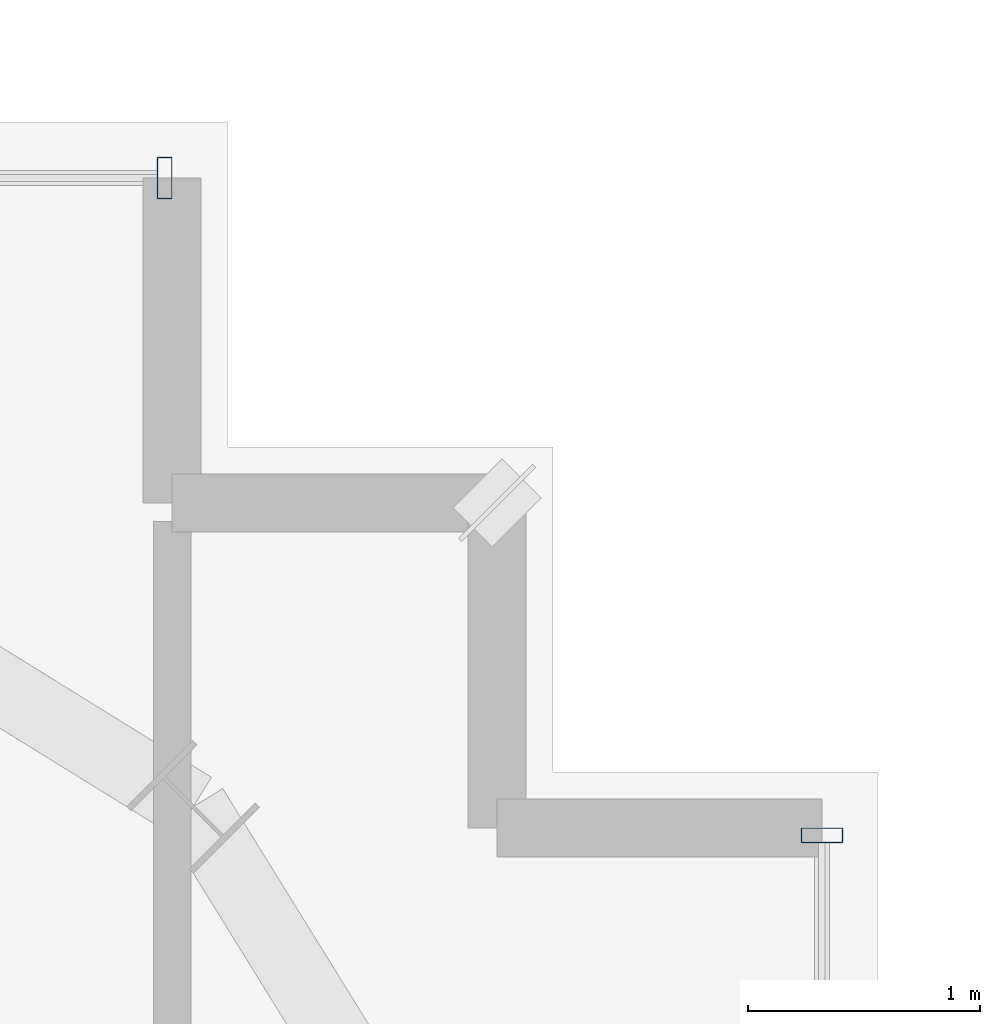
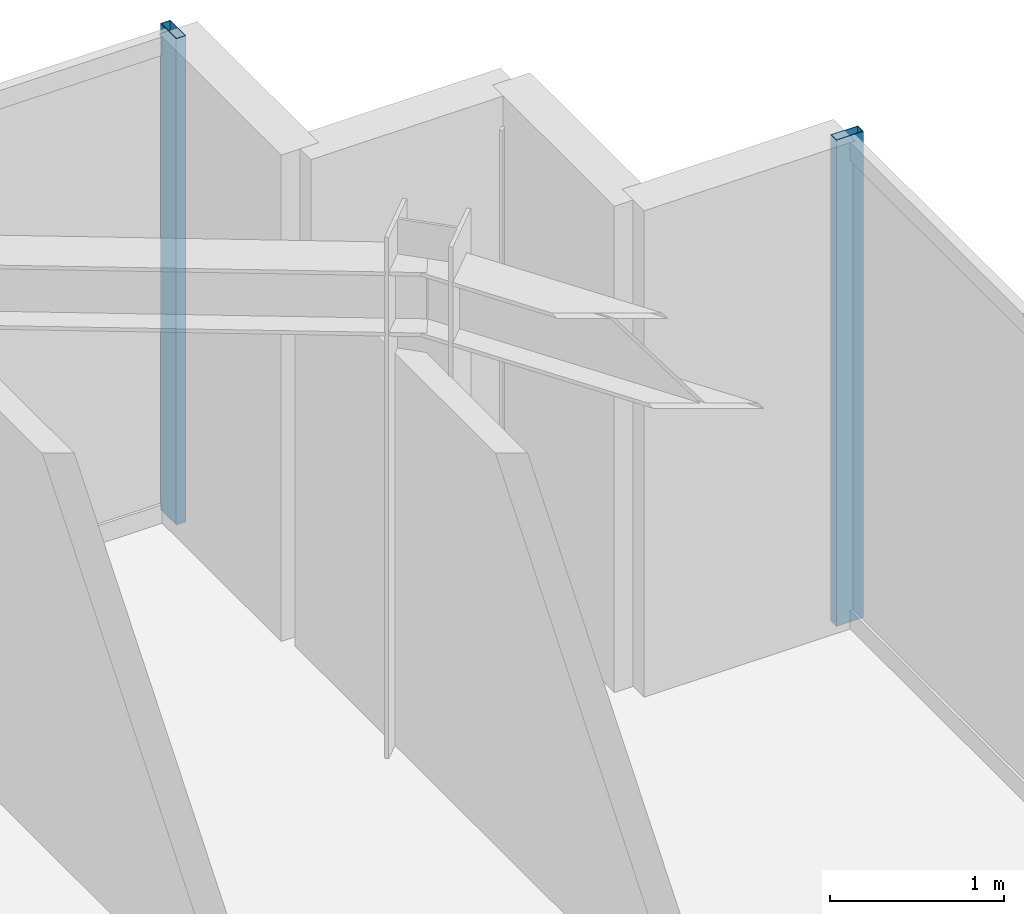
# One storey, part 28 of 43: 2 members, 2 elements without a shape of their own.
"""IFC4 building model written with IfcOpenShell, lengths in metres."""

from ifc_helpers import new_model, si_unit, direction, frame, origin, origin_2d, place, context, subcontext, project, spatial, hollow_rectangle, extrude, source, transform, mapped, material, material_profile, profile_set, type_object, element, aggregate, save


model = new_model("IFC4")

# Units and contexts
model_context = context("Model", 3, precision=1e-05, world=origin(), true_north=direction((0.0, 1.0)))
body_context = subcontext(model_context, "Body", "Model", "MODEL_VIEW")
ifc_project = project(units=[si_unit("LENGTHUNIT", "METRE"), si_unit("AREAUNIT", "SQUARE_METRE"), si_unit("VOLUMEUNIT", "CUBIC_METRE"), si_unit("PLANEANGLEUNIT", "RADIAN"), si_unit("MASSUNIT", "GRAM", prefix="KILO")], contexts=[model_context])

# Site, building, storey
site_placement = place(None, origin())
site = spatial("IfcSite", under=ifc_project, at=site_placement, CompositionType="ELEMENT")
building_placement = place(site_placement, origin())
building = spatial("IfcBuilding", under=site, at=building_placement, Name="Nahalor Promenade Grand Hotel", CompositionType="ELEMENT")
storey_placement = place(building_placement, frame((0.0, 0.0, 204.89990234375)))
storey = spatial("IfcBuildingStorey", under=building, at=storey_placement, Name="L52", CompositionType="ELEMENT", Elevation=204.89990234375)

# Curtain wall, member
ifc_material = material(Name="Anodised Bronze Aluminium EN AW-6063 T6", Category="aluminium")
curtain_wall_type = type_object("IfcCurtainWallType", Name="CW2 Typical Hotel Flush Bronze Unitised Curtain Wall", PredefinedType="USERDEFINED", material=ifc_material)
curtain_wall_1_placement = place(storey_placement, origin())
curtain_wall_1 = element("IfcCurtainWall", 1, at=curtain_wall_1_placement, inside=storey, type_object=curtain_wall_type, Name="L52 Curtain Wall CW-L52-N-3", ObjectType="UNITISED_CURTAIN_WALL", PredefinedType="USERDEFINED")
ifc_material_profile = material_profile(ifc_material, hollow_rectangle(XDim=0.065, YDim=0.18, WallThickness=0.004, at=origin_2d()), Name="CWM 65x180x4")
ifc_profile_set = profile_set([ifc_material_profile], Name="Anodised Bronze Aluminium EN AW-6063 T6")
member_type = type_object("IfcMemberType", Name="CWM2 Typical Bronze Mullion 65x180", PredefinedType="MULLION", material=ifc_profile_set)
shared_shape = source(origin(), body_context, "Body", "SweptSolid", [
    extrude(hollow_rectangle(XDim=0.065, YDim=0.18, WallThickness=0.004, at=origin_2d()), origin(), (0.0, 0.0, 1.0), 3.41015625),
])
member_1_placement = place(storey_placement, frame((21.12744140625, 23.9599609375, 0.0), z_axis=(0.0, 0.0, 1.0), x_axis=(1.0, 0.0, 0.0)))
member_1 = element("IfcMember", 2, at=member_1_placement, type_object=member_type, Name="CW-L52-N-3 Mullion 2", PredefinedType="MULLION", context=body_context, shape_type="MappedRepresentation", body=[
    mapped(shared_shape, transform((0.0, 0.0, 0.0), scale=1.0)),
])
aggregate(curtain_wall_1, [member_1])

curtain_wall_2_placement = place(storey_placement, origin())
curtain_wall_2 = element("IfcCurtainWall", 3, at=curtain_wall_2_placement, inside=storey, type_object=curtain_wall_type, Name="L52 Curtain Wall CW-L52-E-3", ObjectType="UNITISED_CURTAIN_WALL", PredefinedType="USERDEFINED")
member_2_placement = place(storey_placement, frame((23.9599609375, 21.12744140625, 0.0), z_axis=(0.0, 0.0, 1.0), x_axis=(0.0, 1.0, 0.0)))
member_2 = element("IfcMember", 4, at=member_2_placement, type_object=member_type, Name="CW-L52-E-3 Mullion 3", PredefinedType="MULLION", context=body_context, shape_type="MappedRepresentation", body=[
    mapped(shared_shape, transform((0.0, 0.0, 0.0), scale=1.0)),
])
aggregate(curtain_wall_2, [member_2])

save(model, "model.ifc")
